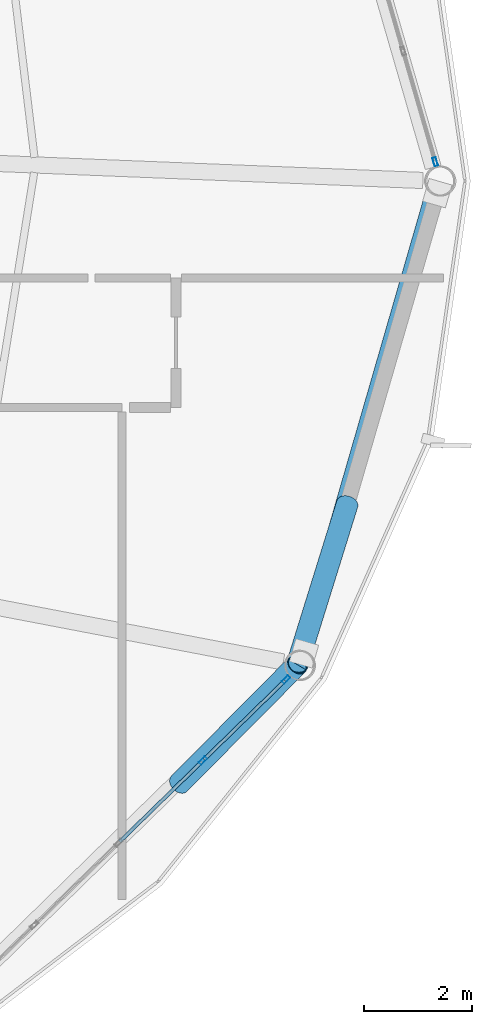
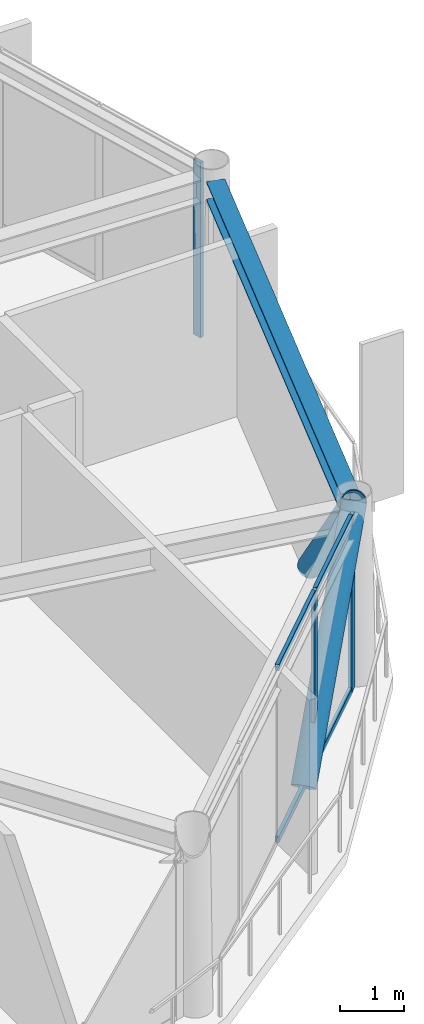
# One storey, part 16 of 27: 9 members, 1 beam, 2 elements without a shape of their own.
"""IFC4 building model written with IfcOpenShell, lengths in metres."""

from ifc_helpers import new_model, si_unit, direction, frame, origin, origin_2d, place, context, subcontext, project, spatial, hollow_rectangle, hollow_circle, i_section, extrude, material, layer, layer_set, material_profile, profile_set, type_object, element, aggregate, save


model = new_model("IFC4")

# Units and contexts
model_context = context("Model", 3, precision=1e-05, world=origin(), true_north=direction((0.0, 1.0)))
body_context = subcontext(model_context, "Body", "Model", "MODEL_VIEW")
ifc_project = project(units=[si_unit("LENGTHUNIT", "METRE"), si_unit("AREAUNIT", "SQUARE_METRE"), si_unit("VOLUMEUNIT", "CUBIC_METRE"), si_unit("PLANEANGLEUNIT", "RADIAN"), si_unit("MASSUNIT", "GRAM", prefix="KILO")], contexts=[model_context])

# Site, building, storey
site_placement = place(None, origin())
site = spatial("IfcSite", under=ifc_project, at=site_placement, CompositionType="ELEMENT")
building_placement = place(site_placement, origin())
building = spatial("IfcBuilding", under=site, at=building_placement, Name="Varnakorn Sky Granary", CompositionType="ELEMENT")
storey_placement = place(building_placement, frame((0.0, 0.0, 245.39990234375)))
storey = spatial("IfcBuildingStorey", under=building, at=storey_placement, Name="L62", CompositionType="ELEMENT", Elevation=245.39990234375)

# Beam
ifc_material_1 = material(Name="Steel S355JR", Category="steel")
ifc_material_profile_1 = material_profile(ifc_material_1, i_section(OverallWidth=0.300048828125, OverallDepth=0.360107421875, WebThickness=0.012451171875, FlangeThickness=0.0224609375, at=origin_2d()), Name="HE 360 B")
ifc_profile_set_1 = profile_set([ifc_material_profile_1], Name="Steel S355JR")
beam_type = type_object("IfcBeamType", Name="BM-SPD-Z5", PredefinedType="SPANDREL", material=ifc_profile_set_1)
beam_placement = place(storey_placement, frame((20.82373046875, -8.71484375, 3.18017578125), z_axis=(0.277912020953, 0.96060653163, 0.0), x_axis=(-0.96060653163, 0.277912020953, 0.0)))
element("IfcBeam", 1, at=beam_placement, inside=storey, type_object=beam_type, Name="Perimeter Spandrel Ring Beam RB12 L62", PredefinedType="SPANDREL", context=body_context, shape_type="SweptSolid", body=[
    extrude(i_section(OverallWidth=0.300048828125, OverallDepth=0.360107421875, WebThickness=0.012451171875, FlangeThickness=0.0224609375, at=origin_2d()), origin(), (0.0, 0.0, 1.0), 8.8076171875),
])

# Curtain wall, member
ifc_material_2 = material(Name="Anodised Bronze Aluminium Alloy 6063-T6", Category="aluminium")
ifc_layer = layer(ifc_material_2, 0.159912109375, Name="Anodised Bronze Aluminium Alloy 6063-T6")
ifc_layer_set = layer_set([ifc_layer], Name="Anodised Bronze Aluminium Alloy 6063-T6")
curtain_wall_type = type_object("IfcCurtainWallType", Name="CW-OFF-1", PredefinedType="USERDEFINED", material=ifc_layer_set)
curtain_wall_1_placement = place(storey_placement, origin())
curtain_wall_1 = element("IfcCurtainWall", 2, at=curtain_wall_1_placement, inside=storey, type_object=curtain_wall_type, Name="Unitised Curtain Wall CW6 CW-L62-B01", ObjectType="CURTAIN WALL", PredefinedType="USERDEFINED")
ifc_material_profile_2 = material_profile(ifc_material_2, hollow_rectangle(XDim=0.06494140625, YDim=0.159912109375, WallThickness=0.00341796875, at=origin_2d()), Name="ALU MULL 65x160")
ifc_profile_set_2 = profile_set([ifc_material_profile_2], Name="Anodised Bronze Aluminium Alloy 6063-T6")
member_type_1 = type_object("IfcMemberType", Name="CW-OFF-1-MULL", PredefinedType="MULLION", material=ifc_profile_set_2)
member_1_placement = place(storey_placement, frame((23.3095703125, 0.357421875, 0.0), z_axis=(0.0, 0.0, 1.0), x_axis=(0.960483292406, 0.278337645691, 0.0)))
member_1 = element("IfcMember", 3, at=member_1_placement, type_object=member_type_1, Name="CW6 mullion 5", PredefinedType="MULLION", context=body_context, shape_type="SweptSolid", body=[
    extrude(hollow_rectangle(XDim=0.06494140625, YDim=0.159912109375, WallThickness=0.00341796875, at=origin_2d()), origin(), (0.0, 0.0, 1.0), 3.360107421875),
])
aggregate(curtain_wall_1, [member_1])

# Curtain wall, members
curtain_wall_2_placement = place(storey_placement, origin())
curtain_wall_2 = element("IfcCurtainWall", 4, at=curtain_wall_2_placement, inside=storey, type_object=curtain_wall_type, Name="Unitised Curtain Wall CW6 CW-L62-B11", ObjectType="CURTAIN WALL", PredefinedType="USERDEFINED")
member_2_placement = place(storey_placement, frame((20.542724609375, -9.2451171875, 0.0), z_axis=(0.0, 0.0, 1.0), x_axis=(0.698180615076, -0.715921663823, 0.0)))
member_2 = element("IfcMember", 5, at=member_2_placement, type_object=member_type_1, Name="CW6 mullion 1", PredefinedType="MULLION", context=body_context, shape_type="SweptSolid", body=[
    extrude(hollow_rectangle(XDim=0.06494140625, YDim=0.159912109375, WallThickness=0.00341796875, at=origin_2d()), origin(), (0.0, 0.0, 1.0), 3.360107421875),
])
member_3_placement = place(storey_placement, frame((19.001220703125, -10.74853515625, 0.0), z_axis=(0.0, 0.0, 1.0), x_axis=(0.698180615076, -0.715921663823, 0.0)))
member_3 = element("IfcMember", 6, at=member_3_placement, type_object=member_type_1, Name="CW6 mullion 2", PredefinedType="MULLION", context=body_context, shape_type="SweptSolid", body=[
    extrude(hollow_rectangle(XDim=0.06494140625, YDim=0.159912109375, WallThickness=0.00341796875, at=origin_2d()), origin(), (0.0, 0.0, 1.0), 3.360107421875),
])
ifc_material_profile_3 = material_profile(ifc_material_2, hollow_rectangle(XDim=0.06494140625, YDim=0.1201171875, WallThickness=0.00341796875, at=origin_2d()), Name="ALU TRAN 65x120")
ifc_profile_set_3 = profile_set([ifc_material_profile_3], Name="Anodised Bronze Aluminium Alloy 6063-T6")
member_type_2 = type_object("IfcMemberType", Name="CW-OFF-1-TRAN", PredefinedType="USERDEFINED", material=ifc_profile_set_3)
member_4_placement = place(storey_placement, frame((20.51953125, -9.267822265625, 0.03271484375), z_axis=(-0.715878866962, -0.698224496733, 0.0), x_axis=(0.698224496733, -0.715878866962, 0.0)))
member_4 = element("IfcMember", 7, at=member_4_placement, type_object=member_type_2, Name="CW6 transom 1.1", ObjectType="TRANSOM", PredefinedType="USERDEFINED", context=body_context, shape_type="SweptSolid", body=[
    extrude(hollow_rectangle(XDim=0.06494140625, YDim=0.1201171875, WallThickness=0.00341796875, at=origin_2d()), origin(), (0.0, 0.0, 1.0), 2.088134765625),
])
member_5_placement = place(storey_placement, frame((20.51953125, -9.267822265625, 3.32763671875), z_axis=(-0.715878866962, -0.698224496733, 0.0), x_axis=(0.698224496733, -0.715878866962, 0.0)))
member_5 = element("IfcMember", 8, at=member_5_placement, type_object=member_type_2, Name="CW6 transom 1.2", ObjectType="TRANSOM", PredefinedType="USERDEFINED", context=body_context, shape_type="SweptSolid", body=[
    extrude(hollow_rectangle(XDim=0.06494140625, YDim=0.1201171875, WallThickness=0.00341796875, at=origin_2d()), origin(), (0.0, 0.0, 1.0), 2.088134765625),
])
member_6_placement = place(storey_placement, frame((18.97802734375, -10.771240234375, 0.03271484375), z_axis=(-0.715972805246, -0.698128170287, 0.0), x_axis=(0.698128170287, -0.715972805246, 0.0)))
member_6 = element("IfcMember", 9, at=member_6_placement, type_object=member_type_2, Name="CW6 transom 2.1", ObjectType="TRANSOM", PredefinedType="USERDEFINED", context=body_context, shape_type="SweptSolid", body=[
    extrude(hollow_rectangle(XDim=0.06494140625, YDim=0.1201171875, WallThickness=0.00341796875, at=origin_2d()), origin(), (0.0, 0.0, 1.0), 2.12060546875),
])
member_7_placement = place(storey_placement, frame((18.97802734375, -10.771240234375, 3.32763671875), z_axis=(-0.715972805246, -0.698128170287, 0.0), x_axis=(0.698128170287, -0.715972805246, 0.0)))
member_7 = element("IfcMember", 10, at=member_7_placement, type_object=member_type_2, Name="CW6 transom 2.2", ObjectType="TRANSOM", PredefinedType="USERDEFINED", context=body_context, shape_type="SweptSolid", body=[
    extrude(hollow_rectangle(XDim=0.06494140625, YDim=0.1201171875, WallThickness=0.00341796875, at=origin_2d()), origin(), (0.0, 0.0, 1.0), 2.12060546875),
])
aggregate(curtain_wall_2, [member_2, member_3, member_4, member_5, member_6, member_7])

# Members
ifc_material_3 = material(Name="Steel S460M", Category="steel")
ifc_material_profile_4 = material_profile(ifc_material_3, hollow_circle(Radius=0.203125, WallThickness=0.01611328125, at=origin_2d()), Name="CHS 406.4x16")
ifc_profile_set_4 = profile_set([ifc_material_profile_4], Name="Steel S460M")
member_type_3 = type_object("IfcMemberType", Name="MB-DIAG-T4", PredefinedType="BRACE", material=ifc_profile_set_4)
member_8_placement = place(storey_placement, frame((18.560791015625, -11.177978515625, 0.0), z_axis=(0.478192011907, 0.482457774725, 0.733871170816), x_axis=(-0.71023968474, 0.703959935096, 0.0)))
element("IfcMember", 11, at=member_8_placement, inside=storey, type_object=member_type_3, Name="Perimeter CHS Diagrid Brace DG11 L62", PredefinedType="BRACE", context=body_context, shape_type="SweptSolid", body=[
    extrude(hollow_circle(Radius=0.203125, WallThickness=0.01611328125, at=origin_2d()), origin(), (0.0, 0.0, 1.0), 4.57861328125),
])
member_9_placement = place(storey_placement, frame((21.677001953125, -5.990234375, 0.0), z_axis=(-0.20212826746, -0.649675182108, 0.732848088792), x_axis=(0.954853816416, -0.29707606648, 0.0)))
element("IfcMember", 12, at=member_9_placement, inside=storey, type_object=member_type_3, Name="Perimeter CHS Diagrid Brace DG12 L62", PredefinedType="BRACE", context=body_context, shape_type="SweptSolid", body=[
    extrude(hollow_circle(Radius=0.203125, WallThickness=0.01611328125, at=origin_2d()), origin(), (0.0, 0.0, 1.0), 4.5849609375),
])

save(model, "model.ifc")
